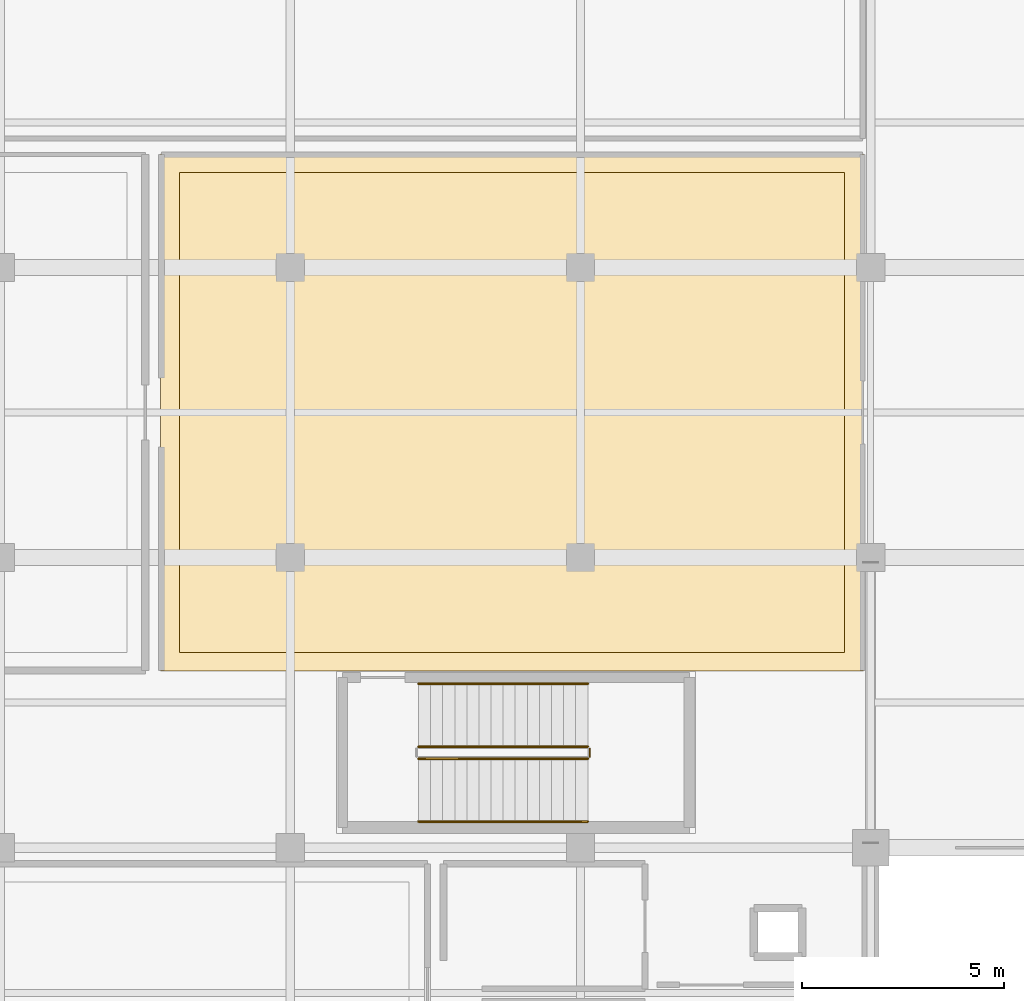
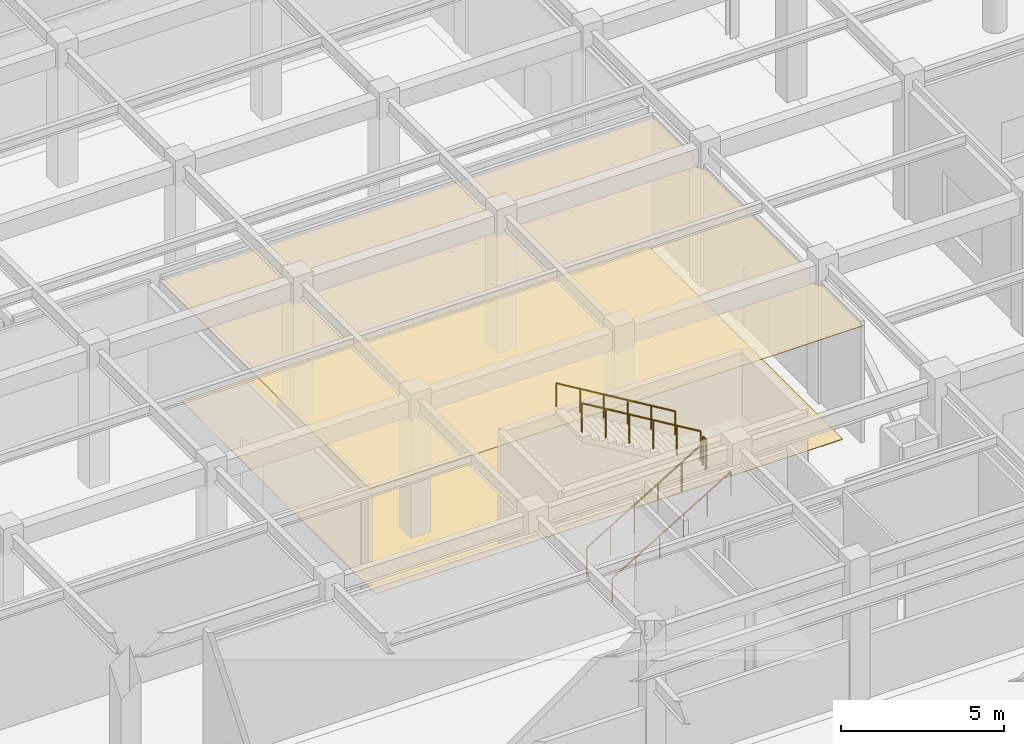
# One storey, part 90 of 102: 5 railings, 2 coverings.
"""IFC4 building model written with IfcOpenShell, lengths in metres."""

from ifc_helpers import new_model, si_unit, direction, frame, origin, origin_2d, place, context, subcontext, project, spatial, polyline, circle, outline, extrude, material, layer, layer_set, type_object, element, save


model = new_model("IFC4")

# Units and contexts
model_context = context("Model", 3, precision=1e-05, world=origin(), true_north=direction((0.0, 1.0)))
body_context = subcontext(model_context, "Body", "Model", "MODEL_VIEW")
ifc_project = project(units=[si_unit("LENGTHUNIT", "METRE"), si_unit("AREAUNIT", "SQUARE_METRE"), si_unit("VOLUMEUNIT", "CUBIC_METRE"), si_unit("PLANEANGLEUNIT", "RADIAN"), si_unit("MASSUNIT", "GRAM", prefix="KILO")], contexts=[model_context])

# Site, building, storey
site_placement = place(None, origin())
site = spatial("IfcSite", under=ifc_project, at=site_placement, CompositionType="ELEMENT")
building_placement = place(site_placement, origin())
building = spatial("IfcBuilding", under=site, at=building_placement, Name="Carrowvane Square Congress Hotel", CompositionType="ELEMENT")
storey_placement = place(building_placement, origin())
storey = spatial("IfcBuildingStorey", under=building, at=storey_placement, Name="L00", CompositionType="ELEMENT", Elevation=0.0)

# Coverings
ifc_material_1 = material(Name="Anodised aluminium", Category="aluminium")
ifc_layer_1 = layer(ifc_material_1, 0.030029296875)
ifc_layer_set_1 = layer_set([ifc_layer_1], Name="Anodised aluminium")
covering_type_1 = type_object("IfcCoveringType", Name="COV-CLG-MT30", PredefinedType="CEILING", material=ifc_layer_set_1)
covering_1_placement = place(storey_placement, frame((0.0, 0.0, 4.35498046875)))
element("IfcCovering", 1, at=covering_1_placement, inside=storey, type_object=covering_type_1, Name="L00 Botanical Wellness Cafe acoustic ceiling", PredefinedType="CEILING", context=body_context, shape_type="SweptSolid", body=[
    extrude(outline(polyline([(61.802001953125, 60.18017578125), (61.800048828125, 60.179931640625), (44.39990234375, 60.179931640625), (44.39794921875, 60.18017578125), (44.39599609375, 60.180419921875), (44.394287109375, 60.180908203125), (44.392333984375, 60.181396484375), (44.390625, 60.182373046875), (44.388916015625, 60.183349609375), (44.38720703125, 60.1845703125), (44.385986328125, 60.185791015625), (44.384521484375, 60.187255859375), (44.38330078125, 60.18896484375), (44.38232421875, 60.190673828125), (44.381591796875, 60.1923828125), (44.380859375, 60.194091796875), (44.38037109375, 60.196044921875), (44.380126953125, 60.197998046875), (44.3798828125, 60.199951171875), (44.3798828125, 73.0), (44.380126953125, 73.001953125), (44.38037109375, 73.00390625), (44.380859375, 73.005859375), (44.381591796875, 73.0078125), (44.38232421875, 73.009521484375), (44.38330078125, 73.010986328125), (44.384521484375, 73.0126953125), (44.385986328125, 73.01416015625), (44.38720703125, 73.015380859375), (44.388916015625, 73.0166015625), (44.390625, 73.017578125), (44.392333984375, 73.0185546875), (44.394287109375, 73.01904296875), (44.39599609375, 73.01953125), (44.39794921875, 73.02001953125), (44.39990234375, 73.02001953125), (61.800048828125, 73.02001953125), (61.802001953125, 73.02001953125), (61.803955078125, 73.01953125), (61.805908203125, 73.01904296875), (61.8076171875, 73.0185546875), (61.809326171875, 73.017578125), (61.81103515625, 73.0166015625), (61.812744140625, 73.015380859375), (61.814208984375, 73.01416015625), (61.8154296875, 73.0126953125), (61.816650390625, 73.010986328125), (61.817626953125, 73.009521484375), (61.818603515625, 73.0078125), (61.819091796875, 73.005859375), (61.819580078125, 73.00390625), (61.81982421875, 73.001953125), (61.820068359375, 73.0), (61.820068359375, 70.556884765625), (61.811279296875, 70.552734375), (61.77783203125, 70.53271484375), (61.74609375, 70.50927734375), (61.71728515625, 70.48291015625), (61.69091796875, 70.453857421875), (61.66748046875, 70.422119140625), (61.647216796875, 70.388671875), (61.63037109375, 70.35302734375), (61.6171875, 70.316162109375), (61.607666015625, 70.278076171875), (61.601806640625, 70.2392578125), (61.60009765625, 70.199951171875), (61.601806640625, 70.160888671875), (61.607666015625, 70.1220703125), (61.6171875, 70.083984375), (61.63037109375, 70.046875), (61.647216796875, 70.011474609375), (61.66748046875, 69.977783203125), (61.69091796875, 69.9462890625), (61.71728515625, 69.917236328125), (61.74609375, 69.890869140625), (61.77783203125, 69.867431640625), (61.811279296875, 69.84716796875), (61.820068359375, 69.84326171875), (61.820068359375, 63.356689453125), (61.811279296875, 63.352783203125), (61.77783203125, 63.33251953125), (61.74609375, 63.30908203125), (61.71728515625, 63.28271484375), (61.69091796875, 63.25390625), (61.66748046875, 63.22216796875), (61.647216796875, 63.188720703125), (61.63037109375, 63.153076171875), (61.6171875, 63.1162109375), (61.607666015625, 63.077880859375), (61.601806640625, 63.039306640625), (61.60009765625, 63.0), (61.601806640625, 62.960693359375), (61.607666015625, 62.922119140625), (61.6171875, 62.8837890625), (61.63037109375, 62.846923828125), (61.647216796875, 62.811279296875), (61.66748046875, 62.77783203125), (61.69091796875, 62.74609375), (61.71728515625, 62.71728515625), (61.74609375, 62.69091796875), (61.77783203125, 62.66748046875), (61.811279296875, 62.647216796875), (61.820068359375, 62.643310546875), (61.820068359375, 60.199951171875), (61.81982421875, 60.197998046875), (61.819580078125, 60.196044921875), (61.819091796875, 60.194091796875), (61.818603515625, 60.1923828125), (61.817626953125, 60.190673828125), (61.816650390625, 60.18896484375), (61.8154296875, 60.187255859375), (61.814208984375, 60.185791015625), (61.812744140625, 60.1845703125), (61.81103515625, 60.183349609375), (61.809326171875, 60.182373046875), (61.8076171875, 60.181396484375), (61.805908203125, 60.180908203125), (61.803955078125, 60.180419921875), (61.802001953125, 60.18017578125)])), origin(), (0.0, 0.0, 1.0), 0.030029296875),
])
ifc_material_2 = material(Name="European oak timber", Category="wood")
ifc_layer_2 = layer(ifc_material_2, 0.013916015625)
ifc_layer_set_2 = layer_set([ifc_layer_2], Name="European oak timber")
covering_type_2 = type_object("IfcCoveringType", Name="COV-FLR-CRP14", PredefinedType="FLOORING", material=ifc_layer_set_2)
covering_2_placement = place(storey_placement, origin())
element("IfcCovering", 2, at=covering_2_placement, inside=storey, type_object=covering_type_2, Name="L00 Botanical Wellness Cafe floor finish", PredefinedType="FLOORING", context=body_context, shape_type="SweptSolid", body=[
    extrude(outline(polyline([(61.35009765625, 72.550048828125), (61.35009765625, 60.64990234375), (44.85009765625, 60.64990234375), (44.85009765625, 72.550048828125), (61.35009765625, 72.550048828125)])), origin(), (0.0, 0.0, 1.0), 0.013916015625),
])

# Railings
ifc_material_3 = material(Name="Stainless steel 316", Category="steel")
ifc_layer_3 = layer(ifc_material_3, 0.048095703125)
ifc_layer_set_3 = layer_set([ifc_layer_3], Name="Stainless steel 316")
railing_type_1 = type_object("IfcRailingType", Name="RLG-HR-900", PredefinedType="HANDRAIL", material=ifc_layer_set_3)
railing_1_placement = place(storey_placement, frame((50.780029296875, 56.449951171875, 0.179931640625)))
element("IfcRailing", 3, at=railing_1_placement, inside=storey, type_object=railing_type_1, Name="L00 ST7 stair handrail 1", PredefinedType="HANDRAIL", context=body_context, shape_type="SweptSolid", body=[
    extrude(circle(Radius=0.02392578125, at=origin_2d()), frame((0.0, 0.0, 0.8759765625), z_axis=(0.857488527567, 0.0, 0.514503085598), x_axis=(0.0, 1.0, 0.0)), (0.0, 0.0, 1.0), 4.89794921875),
    extrude(circle(Radius=0.02099609375, at=origin_2d()), origin(), (0.0, 0.0, 1.0), 0.851806640625),
    extrude(circle(Radius=0.02099609375, at=origin_2d()), frame((0.840087890625, 0.0, 0.50390625)), (0.0, 0.0, 1.0), 0.851806640625),
    extrude(circle(Radius=0.02099609375, at=origin_2d()), frame((1.679931640625, 0.0, 1.008056640625)), (0.0, 0.0, 1.0), 0.851806640625),
    extrude(circle(Radius=0.02099609375, at=origin_2d()), frame((2.52001953125, 0.0, 1.511962890625)), (0.0, 0.0, 1.0), 0.851806640625),
    extrude(circle(Radius=0.02099609375, at=origin_2d()), frame((3.35986328125, 0.0, 2.01611328125)), (0.0, 0.0, 1.0), 0.851806640625),
    extrude(circle(Radius=0.02099609375, at=origin_2d()), frame((4.199951171875, 0.0, 2.52001953125)), (0.0, 0.0, 1.0), 0.851806640625),
])
railing_2_placement = place(storey_placement, frame((54.97998046875, 59.8701171875, 2.8798828125)))
element("IfcRailing", 4, at=railing_2_placement, inside=storey, type_object=railing_type_1, Name="L00 ST7 stair handrail 2", PredefinedType="HANDRAIL", context=body_context, shape_type="SweptSolid", body=[
    extrude(circle(Radius=0.02392578125, at=origin_2d()), frame((0.0, 0.0, 0.8759765625), z_axis=(-0.857488527567, 0.0, 0.514503085598), x_axis=(0.0, -1.0, 0.0)), (0.0, 0.0, 1.0), 4.89794921875),
    extrude(circle(Radius=0.02099609375, at=origin_2d()), origin(), (0.0, 0.0, 1.0), 0.851806640625),
    extrude(circle(Radius=0.02099609375, at=origin_2d()), frame((-0.840087890625, 0.0, 0.50390625)), (0.0, 0.0, 1.0), 0.851806640625),
    extrude(circle(Radius=0.02099609375, at=origin_2d()), frame((-1.679931640625, 0.0, 1.008056640625)), (0.0, 0.0, 1.0), 0.851806640625),
    extrude(circle(Radius=0.02099609375, at=origin_2d()), frame((-2.52001953125, 0.0, 1.511962890625)), (0.0, 0.0, 1.0), 0.851806640625),
    extrude(circle(Radius=0.02099609375, at=origin_2d()), frame((-3.35986328125, 0.0, 2.01611328125)), (0.0, 0.0, 1.0), 0.851806640625),
    extrude(circle(Radius=0.02099609375, at=origin_2d()), frame((-4.199951171875, 0.0, 2.52001953125)), (0.0, 0.0, 1.0), 0.851806640625),
])
ifc_material_4 = material(Name="Galvanised steel", Category="steel")
ifc_layer_4 = layer(ifc_material_4, 0.048095703125)
ifc_layer_set_4 = layer_set([ifc_layer_4], Name="Galvanised steel")
railing_type_2 = type_object("IfcRailingType", Name="RLG-STG-1100", PredefinedType="GUARDRAIL", material=ifc_layer_set_4)
railing_3_placement = place(storey_placement, frame((50.780029296875, 58.010009765625, 0.179931640625)))
element("IfcRailing", 5, at=railing_3_placement, inside=storey, type_object=railing_type_2, Name="L00 ST7 stair guard 1", PredefinedType="GUARDRAIL", context=body_context, shape_type="SweptSolid", body=[
    extrude(circle(Radius=0.02392578125, at=origin_2d()), frame((0.0, 0.0, 1.076171875), z_axis=(0.857488527567, 0.0, 0.514503085598), x_axis=(0.0, 1.0, 0.0)), (0.0, 0.0, 1.0), 4.89794921875),
    extrude(circle(Radius=0.02099609375, at=origin_2d()), origin(), (0.0, 0.0, 1.0), 1.052001953125),
    extrude(circle(Radius=0.02099609375, at=origin_2d()), frame((0.840087890625, 0.0, 0.50390625)), (0.0, 0.0, 1.0), 1.052001953125),
    extrude(circle(Radius=0.02099609375, at=origin_2d()), frame((1.679931640625, 0.0, 1.008056640625)), (0.0, 0.0, 1.0), 1.052001953125),
    extrude(circle(Radius=0.02099609375, at=origin_2d()), frame((2.52001953125, 0.0, 1.511962890625)), (0.0, 0.0, 1.0), 1.052001953125),
    extrude(circle(Radius=0.02099609375, at=origin_2d()), frame((3.35986328125, 0.0, 2.01611328125)), (0.0, 0.0, 1.0), 1.052001953125),
    extrude(circle(Radius=0.02099609375, at=origin_2d()), frame((4.199951171875, 0.0, 2.52001953125)), (0.0, 0.0, 1.0), 1.052001953125),
])
railing_4_placement = place(storey_placement, frame((55.030029296875, 58.06005859375, 2.699951171875)))
element("IfcRailing", 6, at=railing_4_placement, inside=storey, type_object=railing_type_2, Name="L00 ST7 stair guard 2", PredefinedType="GUARDRAIL", context=body_context, shape_type="SweptSolid", body=[
    extrude(circle(Radius=0.02392578125, at=origin_2d()), frame((0.0, 0.0, 1.076171875), z_axis=(0.0, 1.0, 0.0), x_axis=(-1.0, 0.0, 0.0)), (0.0, 0.0, 1.0), 0.199951171875),
    extrude(circle(Radius=0.02099609375, at=origin_2d()), origin(), (0.0, 0.0, 1.0), 1.052001953125),
    extrude(circle(Radius=0.02099609375, at=origin_2d()), frame((0.0, 0.199951171875, 0.0)), (0.0, 0.0, 1.0), 1.052001953125),
])
railing_5_placement = place(storey_placement, frame((54.97998046875, 58.31005859375, 2.8798828125)))
element("IfcRailing", 7, at=railing_5_placement, inside=storey, type_object=railing_type_2, Name="L00 ST7 stair guard 3", PredefinedType="GUARDRAIL", context=body_context, shape_type="SweptSolid", body=[
    extrude(circle(Radius=0.02392578125, at=origin_2d()), frame((0.0, 0.0, 1.076171875), z_axis=(-0.857488527567, 0.0, 0.514503085598), x_axis=(0.0, -1.0, 0.0)), (0.0, 0.0, 1.0), 4.89794921875),
    extrude(circle(Radius=0.02099609375, at=origin_2d()), origin(), (0.0, 0.0, 1.0), 1.052001953125),
    extrude(circle(Radius=0.02099609375, at=origin_2d()), frame((-0.840087890625, 0.0, 0.50390625)), (0.0, 0.0, 1.0), 1.052001953125),
    extrude(circle(Radius=0.02099609375, at=origin_2d()), frame((-1.679931640625, 0.0, 1.008056640625)), (0.0, 0.0, 1.0), 1.052001953125),
    extrude(circle(Radius=0.02099609375, at=origin_2d()), frame((-2.52001953125, 0.0, 1.511962890625)), (0.0, 0.0, 1.0), 1.052001953125),
    extrude(circle(Radius=0.02099609375, at=origin_2d()), frame((-3.35986328125, 0.0, 2.01611328125)), (0.0, 0.0, 1.0), 1.052001953125),
    extrude(circle(Radius=0.02099609375, at=origin_2d()), frame((-4.199951171875, 0.0, 2.52001953125)), (0.0, 0.0, 1.0), 1.052001953125),
])

save(model, "model.ifc")
